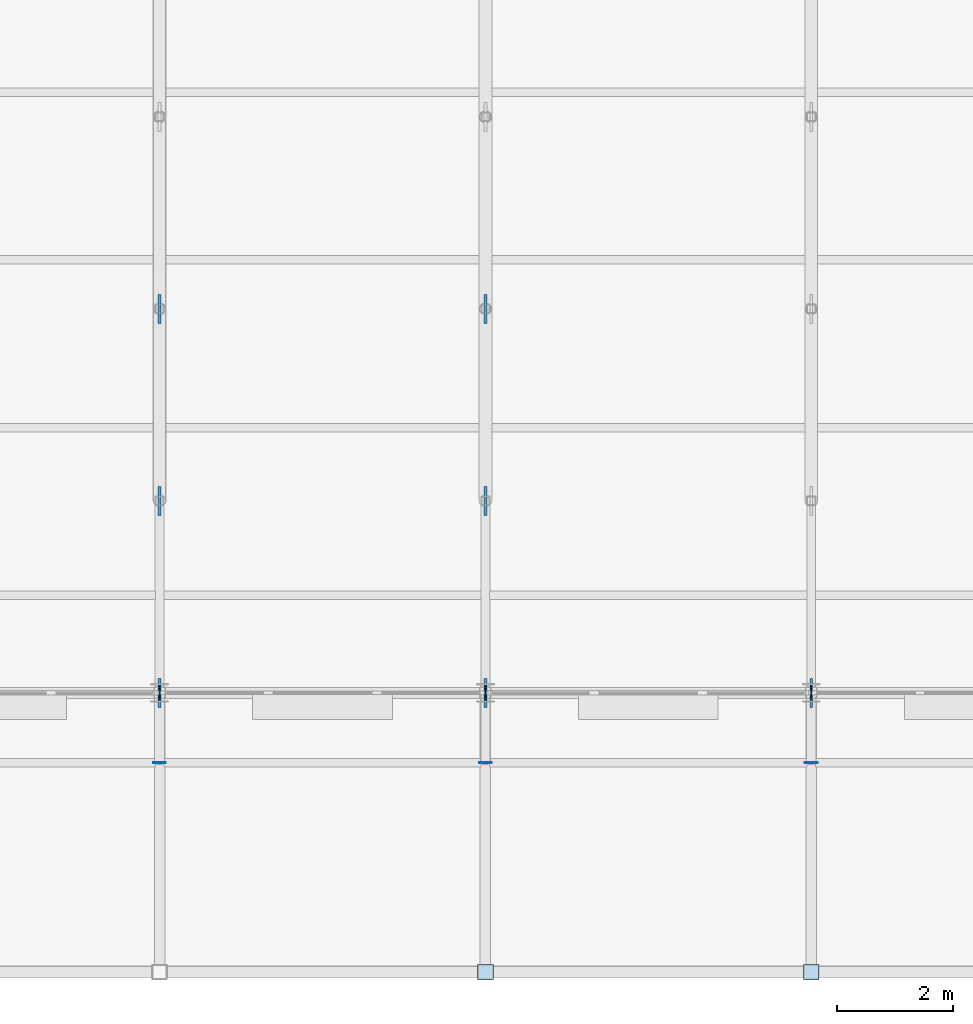
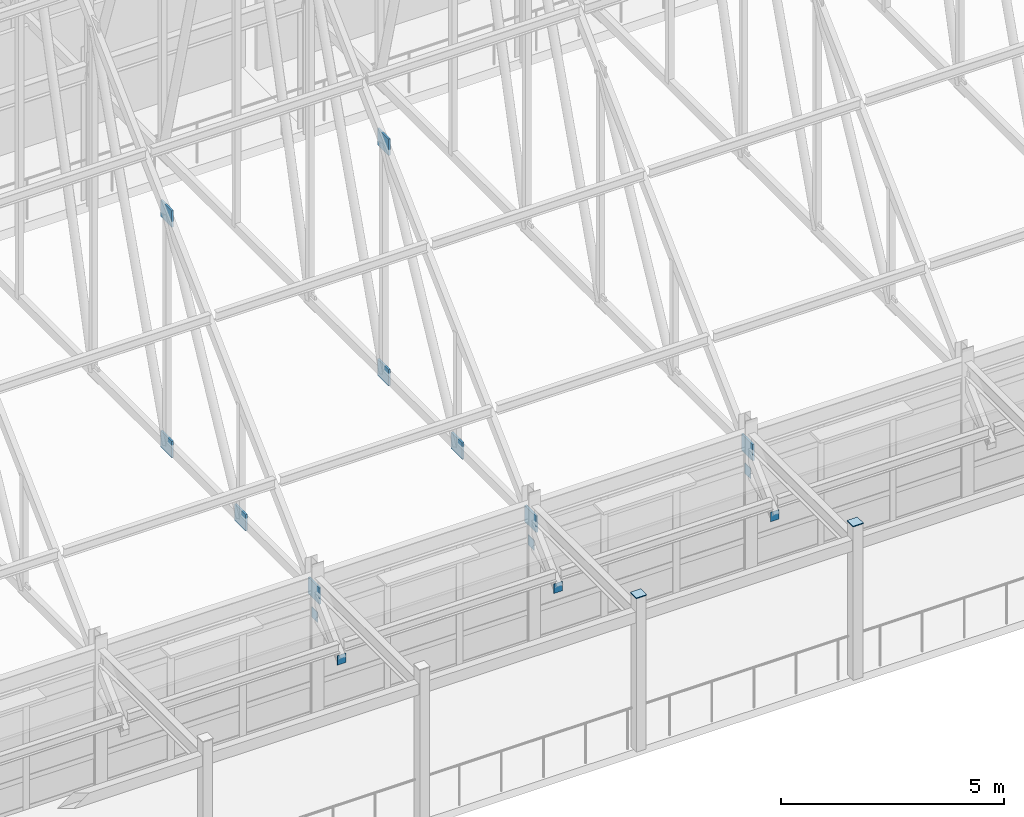
# One storey, part 103 of 144: 17 plates.
"""IFC4 building model written with IfcOpenShell, lengths in metres."""

from ifc_helpers import new_model, si_unit, direction, frame, origin, origin_2d, place, context, subcontext, project, spatial, rectangle, extrude, material, layer, layer_set, type_object, element, save


model = new_model("IFC4")

# Units and contexts
model_context = context("Model", 3, precision=1e-05, world=origin(), true_north=direction((0.0, 1.0)))
body_context = subcontext(model_context, "Body", "Model", "MODEL_VIEW")
ifc_project = project(units=[si_unit("LENGTHUNIT", "METRE"), si_unit("AREAUNIT", "SQUARE_METRE"), si_unit("VOLUMEUNIT", "CUBIC_METRE"), si_unit("PLANEANGLEUNIT", "RADIAN"), si_unit("MASSUNIT", "GRAM", prefix="KILO")], contexts=[model_context])

# Site, building, storey
site_placement = place(None, origin())
site = spatial("IfcSite", under=ifc_project, at=site_placement, CompositionType="ELEMENT")
building_placement = place(site_placement, origin())
building = spatial("IfcBuilding", under=site, at=building_placement, Name="Trelmorton Wharf Fire Station", CompositionType="ELEMENT")
storey_placement = place(building_placement, frame((0.0, 0.0, 5.39990234375)))
storey = spatial("IfcBuildingStorey", under=building, at=storey_placement, Name="L01", CompositionType="ELEMENT", Elevation=5.39990234375)

# Plates
ifc_material = material(Name="Steel Grade 350", Category="steel")
ifc_layer_1 = layer(ifc_material, 0.011962890625)
ifc_layer_set_1 = layer_set([ifc_layer_1], Name="Steel Grade 350")
plate_type_1 = type_object("IfcPlateType", Name="PL_ENDCAP_12", PredefinedType="SHEET", material=ifc_layer_set_1)
for number, where, z_axis, x_axis, name in (
    (1, (17.60009765625, 6.60009765625, 2.076171875), (0.0, 0.0, 1.0), (1.0, 0.0, 0.0), "PL-EC-0013"),
    (2, (23.199951171875, 6.60009765625, 2.076171875), (0.0, 0.0, 1.0), (1.0, 0.0, 0.0), "PL-EC-0017"),
    (3, (28.800048828125, 6.60009765625, 2.076171875), (0.0, 0.0, 1.0), (1.0, 0.0, 0.0), "PL-EC-0021"),
):
    element("IfcPlate", number, at=place(storey_placement, frame(where, z_axis=z_axis, x_axis=x_axis)), inside=storey, type_object=plate_type_1, Name=name, PredefinedType="SHEET", context=body_context, shape_type="SweptSolid", body=[
        extrude(rectangle(XDim=0.219970703125, YDim=0.011962890625, at=origin_2d()), origin(), (0.0, 0.0, 1.0), 0.260009765625),
    ])
ifc_layer_2 = layer(ifc_material, 0.02001953125)
ifc_layer_set_2 = layer_set([ifc_layer_2], Name="Steel Grade 350")
plate_type_2 = type_object("IfcPlateType", Name="PL_ENDCAP_20", PredefinedType="SHEET", material=ifc_layer_set_2)
for number, where, z_axis, x_axis, name in (
    (4, (23.199951171875, 3.0, 4.1982421875), (0.0, 0.0, 1.0), (1.0, 0.0, 0.0), "PL-COLCAP-T-0282"),
    (5, (28.800048828125, 3.0, 4.1982421875), (0.0, 0.0, 1.0), (1.0, 0.0, 0.0), "PL-COLCAP-T-0290"),
):
    element("IfcPlate", number, at=place(storey_placement, frame(where, z_axis=z_axis, x_axis=x_axis)), inside=storey, type_object=plate_type_2, Name=name, PredefinedType="SHEET", context=body_context, shape_type="SweptSolid", body=[
        extrude(rectangle(XDim=0.27001953125, YDim=0.27001953125, at=origin_2d()), origin(), (0.0, 0.0, 1.0), 0.02392578125),
    ])
for number, where, z_axis, x_axis, name in (
    (6, (17.60009765625, 7.800048828125, 2.56005859375), (0.0, 0.0, 1.0), (1.0, 0.0, 0.0), "PL-EC-0014"),
    (7, (23.199951171875, 7.800048828125, 2.56005859375), (0.0, 0.0, 1.0), (1.0, 0.0, 0.0), "PL-EC-0018"),
    (8, (28.800048828125, 7.800048828125, 2.56005859375), (0.0, 0.0, 1.0), (1.0, 0.0, 0.0), "PL-EC-0022"),
):
    element("IfcPlate", number, at=place(storey_placement, frame(where, z_axis=z_axis, x_axis=x_axis)), inside=storey, type_object=plate_type_2, Name=name, PredefinedType="SHEET", context=body_context, shape_type="SweptSolid", body=[
        extrude(rectangle(XDim=0.02001953125, YDim=0.260009765625, at=origin_2d()), origin(), (0.0, 0.0, 1.0), 0.280029296875),
    ])
ifc_layer_3 = layer(ifc_material, 0.050048828125)
ifc_layer_set_3 = layer_set([ifc_layer_3], Name="Steel Grade 350")
plate_type_3 = type_object("IfcPlateType", Name="PL_GUSSET_TN2", PredefinedType="USERDEFINED", material=ifc_layer_set_3)
for number, where, z_axis, x_axis, name in (
    (9, (17.60009765625, 7.800048828125, 3.126953125), (0.0, 0.0, 1.0), (1.0, 0.0, 0.0), "PL-TN-0144"),
    (10, (17.60009765625, 11.10009765625, 3.126953125), (0.0, 0.0, 1.0), (1.0, 0.0, 0.0), "PL-TN-0147"),
    (11, (17.60009765625, 14.39990234375, 9.4267578125), (0.0, 0.0, 1.0), (1.0, 0.0, 0.0), "PL-TN-0148"),
    (12, (17.60009765625, 14.39990234375, 3.126953125), (0.0, 0.0, 1.0), (1.0, 0.0, 0.0), "PL-TN-0149"),
    (13, (23.199951171875, 7.800048828125, 3.126953125), (0.0, 0.0, 1.0), (1.0, 0.0, 0.0), "PL-TN-0157"),
    (14, (23.199951171875, 11.10009765625, 3.126953125), (0.0, 0.0, 1.0), (1.0, 0.0, 0.0), "PL-TN-0160"),
    (15, (23.199951171875, 14.39990234375, 9.4267578125), (0.0, 0.0, 1.0), (1.0, 0.0, 0.0), "PL-TN-0161"),
    (16, (23.199951171875, 14.39990234375, 3.126953125), (0.0, 0.0, 1.0), (1.0, 0.0, 0.0), "PL-TN-0162"),
    (17, (28.800048828125, 7.800048828125, 3.126953125), (0.0, 0.0, 1.0), (1.0, 0.0, 0.0), "PL-TN-0170"),
):
    element("IfcPlate", number, at=place(storey_placement, frame(where, z_axis=z_axis, x_axis=x_axis)), inside=storey, type_object=plate_type_3, Name=name, ObjectType="GUSSET PLATE", PredefinedType="USERDEFINED", context=body_context, shape_type="SweptSolid", body=[
        extrude(rectangle(XDim=0.050048828125, YDim=0.5, at=origin_2d()), origin(), (0.0, 0.0, 1.0), 0.449951171875),
    ])

save(model, "model.ifc")
